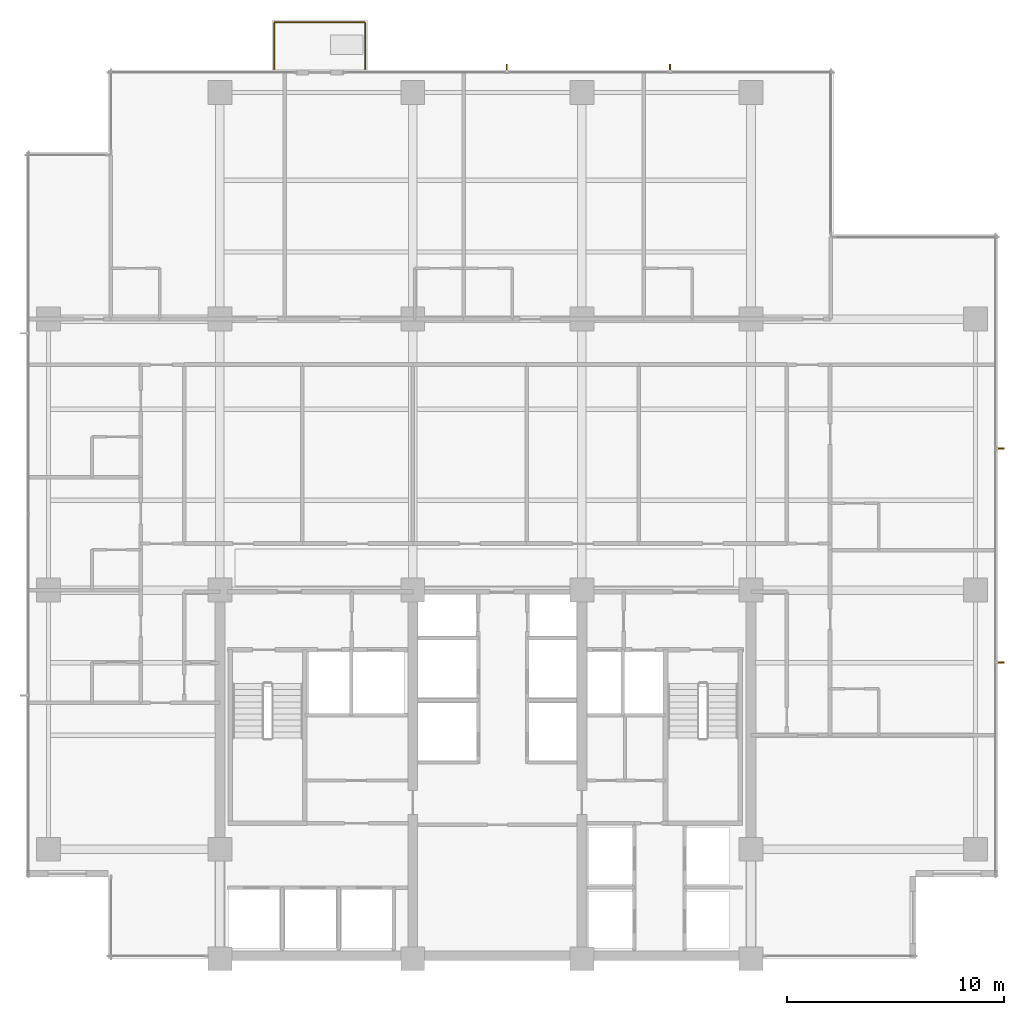
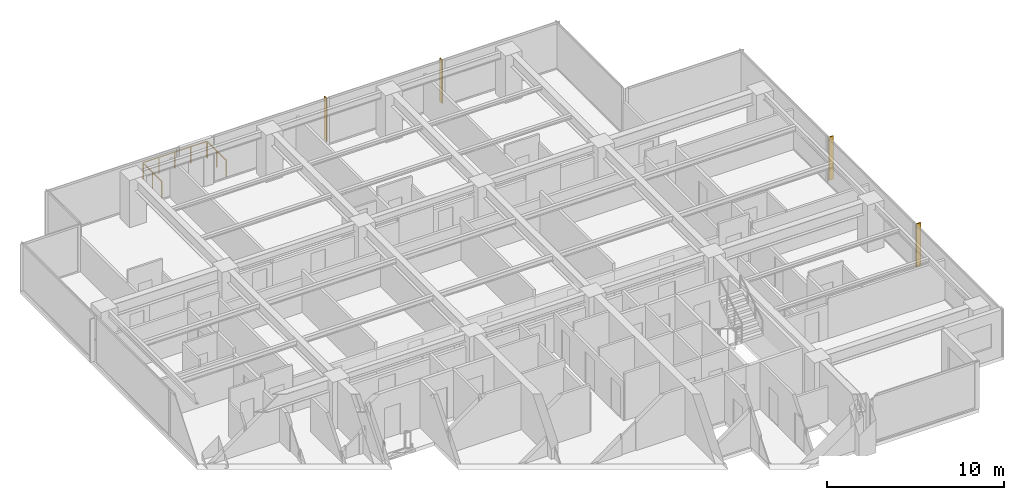
# One storey, part 15 of 15: 4 shading devices, 3 railings.
"""IFC4 building model written with IfcOpenShell, lengths in metres."""

from ifc_helpers import new_model, si_unit, direction, frame, origin, origin_2d, place, context, subcontext, project, spatial, polyline, circle, outline, extrude, material, layer, layer_set, type_object, element, save


model = new_model("IFC4")

# Units and contexts
model_context = context("Model", 3, precision=1e-05, world=origin(), true_north=direction((0.0, 1.0)))
body_context = subcontext(model_context, "Body", "Model", "MODEL_VIEW")
ifc_project = project(units=[si_unit("LENGTHUNIT", "METRE"), si_unit("AREAUNIT", "SQUARE_METRE"), si_unit("VOLUMEUNIT", "CUBIC_METRE"), si_unit("PLANEANGLEUNIT", "RADIAN"), si_unit("MASSUNIT", "GRAM", prefix="KILO")], contexts=[model_context])

# Site, building, storey
site_placement = place(None, origin())
site = spatial("IfcSite", under=ifc_project, at=site_placement, CompositionType="ELEMENT")
building_placement = place(site_placement, origin())
building = spatial("IfcBuilding", under=site, at=building_placement, Name="Qalmaran Belvedere Hotel", CompositionType="ELEMENT")
storey_placement = place(building_placement, frame((0.0, 0.0, 142.10009765625)))
storey = spatial("IfcBuildingStorey", under=building, at=storey_placement, Name="L35", CompositionType="ELEMENT", Elevation=142.10009765625)

# Shading devices
ifc_material = material(Name="Anodised Bronze Aluminium", Category="aluminium")
ifc_layer = layer(ifc_material, 0.06494140625, Name="Anodised Bronze Aluminium")
ifc_layer_set = layer_set([ifc_layer], Name="Anodised Bronze Aluminium")
shading_device_type = type_object("IfcShadingDeviceType", Name="FIN-BRNZ-300", PredefinedType="USERDEFINED", material=ifc_layer_set)
shading_device_1_placement = place(storey_placement, frame((0.0, 0.0, 0.159912109375)))
element("IfcShadingDevice", 1, at=shading_device_1_placement, inside=storey, type_object=shading_device_type, Name="L35 Bronze Fin 1", ObjectType="FIN", PredefinedType="USERDEFINED", context=body_context, shape_type="SweptSolid", body=[
    extrude(outline(polyline([(56.169921875, 17.13427734375), (56.469970703125, 17.13427734375), (56.469970703125, 17.19921875), (56.169921875, 17.19921875), (56.169921875, 17.13427734375)])), origin(), (0.0, 0.0, 1.0), 2.969970703125),
])
shading_device_2_placement = place(storey_placement, frame((0.0, 0.0, 0.159912109375)))
element("IfcShadingDevice", 2, at=shading_device_2_placement, inside=storey, type_object=shading_device_type, Name="L35 Bronze Fin 2", ObjectType="FIN", PredefinedType="USERDEFINED", context=body_context, shape_type="SweptSolid", body=[
    extrude(outline(polyline([(56.169921875, 27.000732421875), (56.469970703125, 27.000732421875), (56.469970703125, 27.06591796875), (56.169921875, 27.06591796875), (56.169921875, 27.000732421875)])), origin(), (0.0, 0.0, 1.0), 2.969970703125),
])
shading_device_3_placement = place(storey_placement, frame((0.0, 0.0, 0.159912109375)))
element("IfcShadingDevice", 3, at=shading_device_3_placement, inside=storey, type_object=shading_device_type, Name="L35 Bronze Fin 1", ObjectType="FIN", PredefinedType="USERDEFINED", context=body_context, shape_type="SweptSolid", body=[
    extrude(outline(polyline([(41.09912109375, 44.469970703125), (41.09912109375, 44.77001953125), (41.0341796875, 44.77001953125), (41.0341796875, 44.469970703125), (41.09912109375, 44.469970703125)])), origin(), (0.0, 0.0, 1.0), 2.969970703125),
])
shading_device_4_placement = place(storey_placement, frame((0.0, 0.0, 0.159912109375)))
element("IfcShadingDevice", 4, at=shading_device_4_placement, inside=storey, type_object=shading_device_type, Name="L35 Bronze Fin 2", ObjectType="FIN", PredefinedType="USERDEFINED", context=body_context, shape_type="SweptSolid", body=[
    extrude(outline(polyline([(33.56591796875, 44.469970703125), (33.56591796875, 44.77001953125), (33.500732421875, 44.77001953125), (33.500732421875, 44.469970703125), (33.56591796875, 44.469970703125)])), origin(), (0.0, 0.0, 1.0), 2.969970703125),
])

# Railings
railing_type = type_object("IfcRailingType", Name="GRD-BAL-1150", PredefinedType="BALUSTRADE", material=ifc_material)
railing_1_placement = place(storey_placement, frame((22.800048828125, 44.534912109375, 0.0)))
element("IfcRailing", 5, at=railing_1_placement, inside=storey, type_object=railing_type, Name="L35 Guardrail BAL-L35-N-1", PredefinedType="BALUSTRADE", context=body_context, shape_type="SweptSolid", body=[
    extrude(circle(Radius=0.02392578125, at=origin_2d()), frame((0.0, 0.0, 1.1259765625), z_axis=(0.0, 1.0, 0.0), x_axis=(-1.0, 0.0, 0.0)), (0.0, 0.0, 1.0), 2.130126953125),
    extrude(circle(Radius=0.02099609375, at=origin_2d()), origin(), (0.0, 0.0, 1.0), 1.101806640625),
    extrude(circle(Radius=0.02099609375, at=origin_2d()), frame((0.0, 1.06494140625, 0.0)), (0.0, 0.0, 1.0), 1.101806640625),
    extrude(circle(Radius=0.02099609375, at=origin_2d()), frame((0.0, 2.130126953125, 0.0)), (0.0, 0.0, 1.0), 1.101806640625),
])
railing_2_placement = place(storey_placement, frame((22.8349609375, 46.699951171875, 0.0)))
element("IfcRailing", 6, at=railing_2_placement, inside=storey, type_object=railing_type, Name="L35 Guardrail BAL-L35-N-2", PredefinedType="BALUSTRADE", context=body_context, shape_type="SweptSolid", body=[
    extrude(circle(Radius=0.02392578125, at=origin_2d()), frame((0.0, 0.0, 1.1259765625), z_axis=(1.0, 0.0, 0.0), x_axis=(0.0, 1.0, 0.0)), (0.0, 0.0, 1.0), 4.130126953125),
    extrude(circle(Radius=0.02099609375, at=origin_2d()), origin(), (0.0, 0.0, 1.0), 1.101806640625),
    extrude(circle(Radius=0.02099609375, at=origin_2d()), frame((1.032470703125, 0.0, 0.0)), (0.0, 0.0, 1.0), 1.101806640625),
    extrude(circle(Radius=0.02099609375, at=origin_2d()), frame((2.06494140625, 0.0, 0.0)), (0.0, 0.0, 1.0), 1.101806640625),
    extrude(circle(Radius=0.02099609375, at=origin_2d()), frame((3.09765625, 0.0, 0.0)), (0.0, 0.0, 1.0), 1.101806640625),
    extrude(circle(Radius=0.02099609375, at=origin_2d()), frame((4.130126953125, 0.0, 0.0)), (0.0, 0.0, 1.0), 1.101806640625),
])
railing_3_placement = place(storey_placement, frame((27.0, 46.6650390625, 0.0)))
element("IfcRailing", 7, at=railing_3_placement, inside=storey, type_object=railing_type, Name="L35 Guardrail BAL-L35-N-3", PredefinedType="BALUSTRADE", context=body_context, shape_type="SweptSolid", body=[
    extrude(circle(Radius=0.02392578125, at=origin_2d()), frame((0.0, 0.0, 1.1259765625), z_axis=(0.0, -1.0, 0.0), x_axis=(1.0, 0.0, 0.0)), (0.0, 0.0, 1.0), 2.130126953125),
    extrude(circle(Radius=0.02099609375, at=origin_2d()), origin(), (0.0, 0.0, 1.0), 1.101806640625),
    extrude(circle(Radius=0.02099609375, at=origin_2d()), frame((0.0, -1.06494140625, 0.0)), (0.0, 0.0, 1.0), 1.101806640625),
    extrude(circle(Radius=0.02099609375, at=origin_2d()), frame((0.0, -2.130126953125, 0.0)), (0.0, 0.0, 1.0), 1.101806640625),
])

save(model, "model.ifc")
